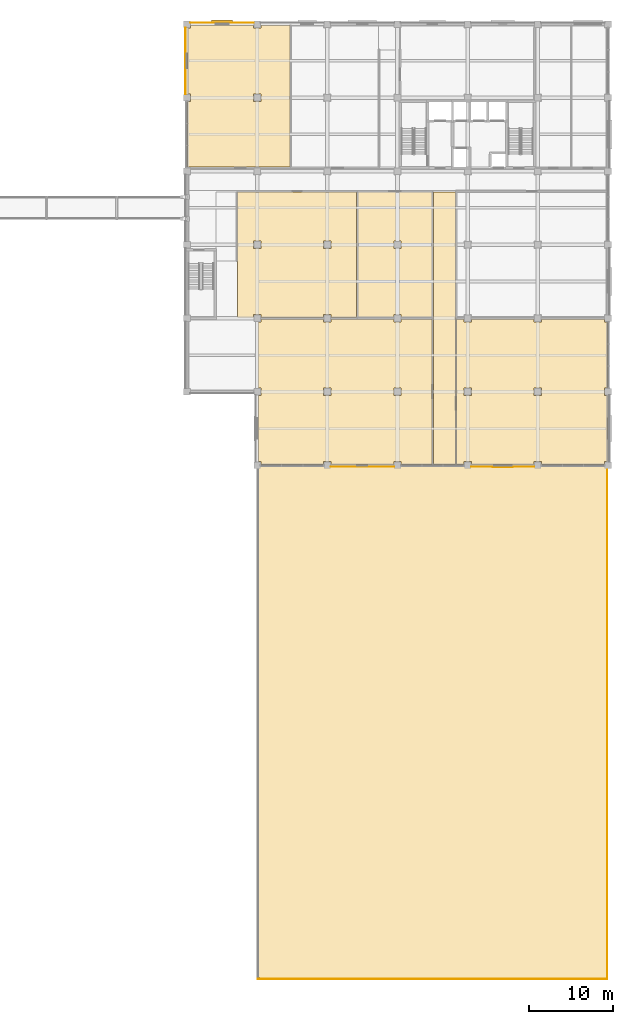
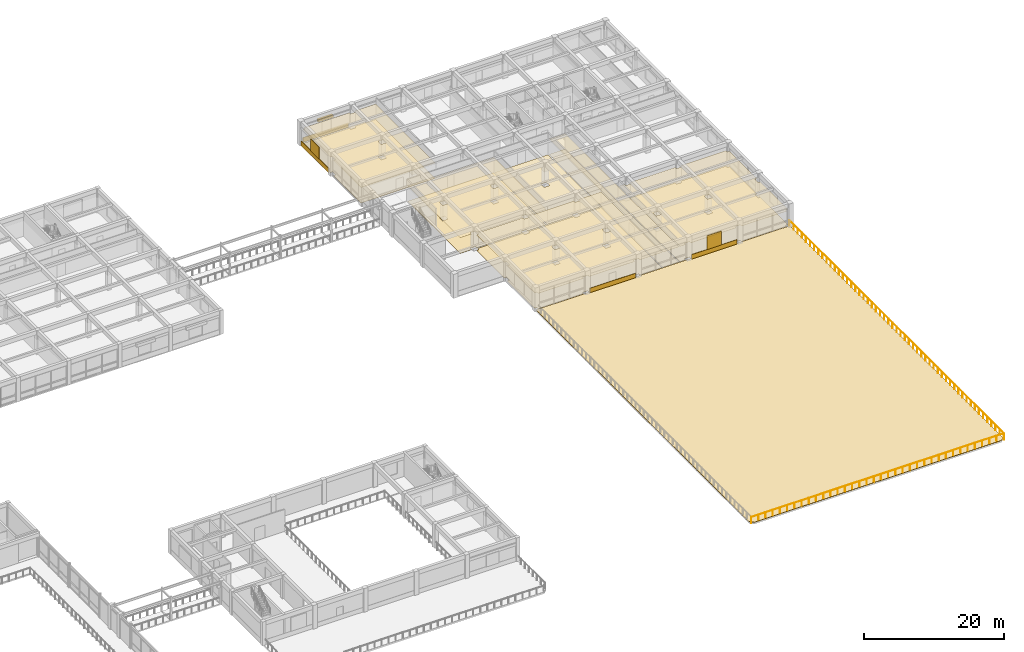
# One storey, part 54 of 57: 16 coverings, 3 shading devices, 2 railings.
"""IFC4 building model written with IfcOpenShell, lengths in metres."""

from ifc_helpers import new_model, si_unit, direction, frame, origin, origin_2d, place, context, subcontext, project, spatial, polyline, rectangle, circle, outline, extrude, material, layer, layer_set, type_object, element, save


model = new_model("IFC4")

# Units and contexts
model_context = context("Model", 3, precision=1e-05, world=origin(), true_north=direction((0.0, 1.0)))
body_context = subcontext(model_context, "Body", "Model", "MODEL_VIEW")
ifc_project = project(units=[si_unit("LENGTHUNIT", "METRE"), si_unit("AREAUNIT", "SQUARE_METRE"), si_unit("VOLUMEUNIT", "CUBIC_METRE"), si_unit("PLANEANGLEUNIT", "RADIAN"), si_unit("MASSUNIT", "GRAM", prefix="KILO")], contexts=[model_context])

# Site, building, storey
site_placement = place(None, origin())
site = spatial("IfcSite", under=ifc_project, at=site_placement, CompositionType="ELEMENT")
building_placement = place(site_placement, origin())
building = spatial("IfcBuilding", under=site, at=building_placement, Name="Kemercrest Conservatory and Botanical Centre", CompositionType="ELEMENT")
storey_placement = place(building_placement, frame((0.0, 0.0, 4.800048828125)))
storey = spatial("IfcBuildingStorey", under=building, at=storey_placement, Name="L01", CompositionType="ELEMENT", Elevation=4.800048828125)

# Coverings
ifc_material_1 = material(Name="Honed limestone almasik ashlar rainscreen", Category="masonry")
ifc_layer_1 = layer(ifc_material_1, 0.0400390625)
ifc_layer_set_1 = layer_set([ifc_layer_1], Name="Honed limestone almasik ashlar rainscreen")
covering_type_1 = type_object("IfcCoveringType", Name="CV-CLD040", PredefinedType="CLADDING", material=ifc_layer_set_1)
covering_1_placement = place(storey_placement, origin())
element("IfcCovering", 1, at=covering_1_placement, inside=storey, type_object=covering_type_1, Name="Exterior stone spandrel cladding (WAL:L01:EXT-176)", PredefinedType="CLADDING", context=body_context, shape_type="SweptSolid", body=[
    extrude(outline(polyline([(142.81005859375, 69.449951171875), (142.81005859375, 69.409912109375), (150.389892578125, 69.409912109375), (150.389892578125, 69.449951171875), (142.81005859375, 69.449951171875)])), origin(), (0.0, 0.0, 1.0), 0.849853515625),
])
covering_2_placement = place(storey_placement, origin())
element("IfcCovering", 2, at=covering_2_placement, inside=storey, type_object=covering_type_1, Name="Exterior stone spandrel cladding (WAL:L01:EXT-177)", PredefinedType="CLADDING", context=body_context, shape_type="SweptSolid", body=[
    extrude(outline(polyline([(159.610107421875, 69.449951171875), (159.610107421875, 69.409912109375), (167.18994140625, 69.409912109375), (167.18994140625, 69.449951171875), (159.610107421875, 69.449951171875)])), origin(), (0.0, 0.0, 1.0), 0.849853515625),
])
covering_3_placement = place(storey_placement, origin())
element("IfcCovering", 3, at=covering_3_placement, inside=storey, type_object=covering_type_1, Name="Exterior stone spandrel cladding (WAL:L01:EXT-186)", PredefinedType="CLADDING", context=body_context, shape_type="SweptSolid", body=[
    extrude(outline(polyline([(133.590087890625, 122.550048828125), (133.590087890625, 122.590087890625), (126.010009765625, 122.590087890625), (126.010009765625, 122.550048828125), (133.590087890625, 122.550048828125)])), origin(), (0.0, 0.0, 1.0), 0.849853515625),
])
covering_4_placement = place(storey_placement, origin())
element("IfcCovering", 4, at=covering_4_placement, inside=storey, type_object=covering_type_1, Name="Exterior stone spandrel cladding (WAL:L01:EXT-187)", PredefinedType="CLADDING", context=body_context, shape_type="SweptSolid", body=[
    extrude(outline(polyline([(125.449951171875, 121.989990234375), (125.409912109375, 121.989990234375), (125.409912109375, 114.010009765625), (125.449951171875, 114.010009765625), (125.449951171875, 121.989990234375)])), origin(), (0.0, 0.0, 1.0), 0.849853515625),
])
ifc_material_2 = material(Name="Perforated acoustic gypsum and mineral-fibre suspended ceiling", Category="gypsum")
ifc_layer_2 = layer(ifc_material_2, 0.034912109375)
ifc_layer_set_2 = layer_set([ifc_layer_2], Name="Perforated acoustic gypsum and mineral-fibre suspended ceiling")
covering_type_2 = type_object("IfcCoveringType", Name="CV-CLG035", PredefinedType="CEILING", material=ifc_layer_set_2)
covering_5_placement = place(storey_placement, frame((0.0, 0.0, 2.699951171875)))
element("IfcCovering", 5, at=covering_5_placement, inside=storey, type_object=covering_type_2, Name="Level L01 South Corridor suspended acoustic ceiling", PredefinedType="CEILING", context=body_context, shape_type="SweptSolid", body=[
    extrude(outline(polyline([(155.080078125, 69.679931640625), (157.719970703125, 69.679931640625), (157.719970703125, 102.320068359375), (155.080078125, 102.320068359375), (155.080078125, 69.679931640625)])), origin(), (0.0, 0.0, 1.0), 0.034912109375),
])
covering_6_placement = place(storey_placement, frame((0.0, 0.0, 2.699951171875)))
element("IfcCovering", 6, at=covering_6_placement, inside=storey, type_object=covering_type_2, Name="Botanical Exhibition Gallery suspended acoustic ceiling", PredefinedType="CEILING", context=body_context, shape_type="SweptSolid", body=[
    extrude(outline(polyline([(150.360107421875, 70.0400390625), (151.239990234375, 70.0400390625), (151.239990234375, 69.679931640625), (154.919921875, 69.679931640625), (154.919921875, 87.1201171875), (151.239990234375, 87.1201171875), (151.239990234375, 86.760009765625), (150.360107421875, 86.760009765625), (150.360107421875, 87.1201171875), (142.840087890625, 87.1201171875), (142.840087890625, 86.760009765625), (141.9599609375, 86.760009765625), (141.9599609375, 87.1201171875), (134.43994140625, 87.1201171875), (134.43994140625, 86.760009765625), (134.080078125, 86.760009765625), (134.080078125, 78.840087890625), (134.43994140625, 78.840087890625), (134.43994140625, 77.9599609375), (134.080078125, 77.9599609375), (134.080078125, 70.0400390625), (134.43994140625, 70.0400390625), (134.43994140625, 69.679931640625), (141.9599609375, 69.679931640625), (141.9599609375, 70.0400390625), (142.840087890625, 70.0400390625), (142.840087890625, 69.679931640625), (150.360107421875, 69.679931640625), (150.360107421875, 70.0400390625)]), holes=[polyline([(150.360107421875, 77.9599609375), (150.360107421875, 78.840087890625), (151.239990234375, 78.840087890625), (151.239990234375, 77.9599609375), (150.360107421875, 77.9599609375)]), polyline([(141.9599609375, 77.9599609375), (141.9599609375, 78.840087890625), (142.840087890625, 78.840087890625), (142.840087890625, 77.9599609375), (141.9599609375, 77.9599609375)])]), origin(), (0.0, 0.0, 1.0), 0.034912109375),
])
covering_7_placement = place(storey_placement, frame((0.0, 0.0, 2.699951171875)))
element("IfcCovering", 7, at=covering_7_placement, inside=storey, type_object=covering_type_2, Name="Botanical Seminar Hall suspended acoustic ceiling", PredefinedType="CEILING", context=body_context, shape_type="SweptSolid", body=[
    extrude(outline(polyline([(167.159912109375, 70.0400390625), (168.0400390625, 70.0400390625), (168.0400390625, 69.679931640625), (175.56005859375, 69.679931640625), (175.56005859375, 70.0400390625), (175.919921875, 70.0400390625), (175.919921875, 77.9599609375), (175.56005859375, 77.9599609375), (175.56005859375, 78.840087890625), (175.919921875, 78.840087890625), (175.919921875, 86.760009765625), (175.56005859375, 86.760009765625), (175.56005859375, 87.1201171875), (168.0400390625, 87.1201171875), (168.0400390625, 86.760009765625), (167.159912109375, 86.760009765625), (167.159912109375, 87.1201171875), (159.639892578125, 87.1201171875), (159.639892578125, 86.760009765625), (158.760009765625, 86.760009765625), (158.760009765625, 87.1201171875), (157.8798828125, 87.1201171875), (157.8798828125, 69.679931640625), (158.760009765625, 69.679931640625), (158.760009765625, 70.0400390625), (159.639892578125, 70.0400390625), (159.639892578125, 69.679931640625), (167.159912109375, 69.679931640625), (167.159912109375, 70.0400390625)]), holes=[polyline([(167.159912109375, 77.9599609375), (167.159912109375, 78.840087890625), (168.0400390625, 78.840087890625), (168.0400390625, 77.9599609375), (167.159912109375, 77.9599609375)]), polyline([(159.639892578125, 77.9599609375), (158.760009765625, 77.9599609375), (158.760009765625, 78.840087890625), (159.639892578125, 78.840087890625), (159.639892578125, 77.9599609375)])]), origin(), (0.0, 0.0, 1.0), 0.034912109375),
])
covering_8_placement = place(storey_placement, frame((0.0, 0.0, 2.699951171875)))
element("IfcCovering", 8, at=covering_8_placement, inside=storey, type_object=covering_type_2, Name="Wet Botanical Research Laboratory suspended acoustic ceiling", PredefinedType="CEILING", context=body_context, shape_type="SweptSolid", body=[
    extrude(outline(polyline([(141.9599609375, 87.639892578125), (142.840087890625, 87.639892578125), (142.840087890625, 87.280029296875), (145.919921875, 87.280029296875), (145.919921875, 102.320068359375), (131.679931640625, 102.320068359375), (131.679931640625, 87.280029296875), (133.56005859375, 87.280029296875), (133.56005859375, 87.639892578125), (134.43994140625, 87.639892578125), (134.43994140625, 87.280029296875), (141.9599609375, 87.280029296875), (141.9599609375, 87.639892578125)]), holes=[polyline([(142.840087890625, 95.56005859375), (141.9599609375, 95.56005859375), (141.9599609375, 96.43994140625), (142.840087890625, 96.43994140625), (142.840087890625, 95.56005859375)]), polyline([(134.43994140625, 95.56005859375), (133.56005859375, 95.56005859375), (133.56005859375, 96.43994140625), (134.43994140625, 96.43994140625), (134.43994140625, 95.56005859375)])]), origin(), (0.0, 0.0, 1.0), 0.034912109375),
])
covering_9_placement = place(storey_placement, frame((0.0, 0.0, 2.699951171875)))
element("IfcCovering", 9, at=covering_9_placement, inside=storey, type_object=covering_type_2, Name="Research Write-Up Office suspended acoustic ceiling", PredefinedType="CEILING", context=body_context, shape_type="SweptSolid", body=[
    extrude(outline(polyline([(126.0400390625, 113.159912109375), (125.679931640625, 113.159912109375), (125.679931640625, 105.280029296875), (137.919921875, 105.280029296875), (137.919921875, 122.320068359375), (134.43994140625, 122.320068359375), (134.43994140625, 121.9599609375), (133.56005859375, 121.9599609375), (133.56005859375, 122.320068359375), (126.0400390625, 122.320068359375), (126.0400390625, 121.9599609375), (125.679931640625, 121.9599609375), (125.679931640625, 114.0400390625), (126.0400390625, 114.0400390625), (126.0400390625, 113.159912109375)]), holes=[polyline([(133.56005859375, 113.159912109375), (133.56005859375, 114.0400390625), (134.43994140625, 114.0400390625), (134.43994140625, 113.159912109375), (133.56005859375, 113.159912109375)])]), origin(), (0.0, 0.0, 1.0), 0.034912109375),
])
ifc_material_3 = material(Name="Polished limestone terrazzo and seamless laboratory epoxy flooring", Category="masonry")
ifc_layer_3 = layer(ifc_material_3, 0.02001953125)
ifc_layer_set_3 = layer_set([ifc_layer_3], Name="Polished limestone terrazzo and seamless laboratory epoxy flooring")
covering_type_3 = type_object("IfcCoveringType", Name="CV-FLR020", PredefinedType="FLOORING", material=ifc_layer_set_3)
covering_10_placement = place(storey_placement, origin())
element("IfcCovering", 10, at=covering_10_placement, inside=storey, type_object=covering_type_3, Name="Level L01 South Corridor floor finish", PredefinedType="FLOORING", context=body_context, shape_type="SweptSolid", body=[
    extrude(outline(polyline([(155.080078125, 69.679931640625), (157.719970703125, 69.679931640625), (157.719970703125, 102.320068359375), (155.080078125, 102.320068359375), (155.080078125, 69.679931640625)])), origin(), (0.0, 0.0, 1.0), 0.02001953125),
])
covering_11_placement = place(storey_placement, origin())
element("IfcCovering", 11, at=covering_11_placement, inside=storey, type_object=covering_type_3, Name="Botanical Exhibition Gallery floor finish", PredefinedType="FLOORING", context=body_context, shape_type="SweptSolid", body=[
    extrude(outline(polyline([(150.360107421875, 70.0400390625), (151.239990234375, 70.0400390625), (151.239990234375, 69.679931640625), (154.919921875, 69.679931640625), (154.919921875, 87.1201171875), (151.239990234375, 87.1201171875), (151.239990234375, 86.760009765625), (150.360107421875, 86.760009765625), (150.360107421875, 87.1201171875), (142.840087890625, 87.1201171875), (142.840087890625, 86.760009765625), (141.9599609375, 86.760009765625), (141.9599609375, 87.1201171875), (134.43994140625, 87.1201171875), (134.43994140625, 86.760009765625), (134.080078125, 86.760009765625), (134.080078125, 78.840087890625), (134.43994140625, 78.840087890625), (134.43994140625, 77.9599609375), (134.080078125, 77.9599609375), (134.080078125, 70.0400390625), (134.43994140625, 70.0400390625), (134.43994140625, 69.679931640625), (141.9599609375, 69.679931640625), (141.9599609375, 70.0400390625), (142.840087890625, 70.0400390625), (142.840087890625, 69.679931640625), (150.360107421875, 69.679931640625), (150.360107421875, 70.0400390625)]), holes=[polyline([(150.360107421875, 77.9599609375), (150.360107421875, 78.840087890625), (151.239990234375, 78.840087890625), (151.239990234375, 77.9599609375), (150.360107421875, 77.9599609375)]), polyline([(141.9599609375, 77.9599609375), (141.9599609375, 78.840087890625), (142.840087890625, 78.840087890625), (142.840087890625, 77.9599609375), (141.9599609375, 77.9599609375)])]), origin(), (0.0, 0.0, 1.0), 0.02001953125),
])
covering_12_placement = place(storey_placement, origin())
element("IfcCovering", 12, at=covering_12_placement, inside=storey, type_object=covering_type_3, Name="Botanical Seminar Hall floor finish", PredefinedType="FLOORING", context=body_context, shape_type="SweptSolid", body=[
    extrude(outline(polyline([(167.159912109375, 70.0400390625), (168.0400390625, 70.0400390625), (168.0400390625, 69.679931640625), (175.56005859375, 69.679931640625), (175.56005859375, 70.0400390625), (175.919921875, 70.0400390625), (175.919921875, 77.9599609375), (175.56005859375, 77.9599609375), (175.56005859375, 78.840087890625), (175.919921875, 78.840087890625), (175.919921875, 86.760009765625), (175.56005859375, 86.760009765625), (175.56005859375, 87.1201171875), (168.0400390625, 87.1201171875), (168.0400390625, 86.760009765625), (167.159912109375, 86.760009765625), (167.159912109375, 87.1201171875), (159.639892578125, 87.1201171875), (159.639892578125, 86.760009765625), (158.760009765625, 86.760009765625), (158.760009765625, 87.1201171875), (157.8798828125, 87.1201171875), (157.8798828125, 69.679931640625), (158.760009765625, 69.679931640625), (158.760009765625, 70.0400390625), (159.639892578125, 70.0400390625), (159.639892578125, 69.679931640625), (167.159912109375, 69.679931640625), (167.159912109375, 70.0400390625)]), holes=[polyline([(167.159912109375, 77.9599609375), (167.159912109375, 78.840087890625), (168.0400390625, 78.840087890625), (168.0400390625, 77.9599609375), (167.159912109375, 77.9599609375)]), polyline([(159.639892578125, 77.9599609375), (158.760009765625, 77.9599609375), (158.760009765625, 78.840087890625), (159.639892578125, 78.840087890625), (159.639892578125, 77.9599609375)])]), origin(), (0.0, 0.0, 1.0), 0.02001953125),
])
covering_13_placement = place(storey_placement, origin())
element("IfcCovering", 13, at=covering_13_placement, inside=storey, type_object=covering_type_3, Name="Wet Botanical Research Laboratory floor finish", PredefinedType="FLOORING", context=body_context, shape_type="SweptSolid", body=[
    extrude(outline(polyline([(141.9599609375, 87.639892578125), (142.840087890625, 87.639892578125), (142.840087890625, 87.280029296875), (145.919921875, 87.280029296875), (145.919921875, 102.320068359375), (131.679931640625, 102.320068359375), (131.679931640625, 87.280029296875), (133.56005859375, 87.280029296875), (133.56005859375, 87.639892578125), (134.43994140625, 87.639892578125), (134.43994140625, 87.280029296875), (141.9599609375, 87.280029296875), (141.9599609375, 87.639892578125)]), holes=[polyline([(142.840087890625, 95.56005859375), (141.9599609375, 95.56005859375), (141.9599609375, 96.43994140625), (142.840087890625, 96.43994140625), (142.840087890625, 95.56005859375)]), polyline([(134.43994140625, 95.56005859375), (133.56005859375, 95.56005859375), (133.56005859375, 96.43994140625), (134.43994140625, 96.43994140625), (134.43994140625, 95.56005859375)])]), origin(), (0.0, 0.0, 1.0), 0.02001953125),
])
covering_14_placement = place(storey_placement, origin())
element("IfcCovering", 14, at=covering_14_placement, inside=storey, type_object=covering_type_3, Name="Analytical Chemistry Laboratory floor finish", PredefinedType="FLOORING", context=body_context, shape_type="SweptSolid", body=[
    extrude(outline(polyline([(150.360107421875, 87.639892578125), (151.239990234375, 87.639892578125), (151.239990234375, 87.280029296875), (154.919921875, 87.280029296875), (154.919921875, 102.320068359375), (146.080078125, 102.320068359375), (146.080078125, 87.280029296875), (150.360107421875, 87.280029296875), (150.360107421875, 87.639892578125)]), holes=[polyline([(150.360107421875, 95.56005859375), (150.360107421875, 96.43994140625), (151.239990234375, 96.43994140625), (151.239990234375, 95.56005859375), (150.360107421875, 95.56005859375)])]), origin(), (0.0, 0.0, 1.0), 0.02001953125),
])
covering_15_placement = place(storey_placement, origin())
element("IfcCovering", 15, at=covering_15_placement, inside=storey, type_object=covering_type_3, Name="Research Write-Up Office floor finish", PredefinedType="FLOORING", context=body_context, shape_type="SweptSolid", body=[
    extrude(outline(polyline([(126.0400390625, 113.159912109375), (125.679931640625, 113.159912109375), (125.679931640625, 105.280029296875), (137.919921875, 105.280029296875), (137.919921875, 122.320068359375), (134.43994140625, 122.320068359375), (134.43994140625, 121.9599609375), (133.56005859375, 121.9599609375), (133.56005859375, 122.320068359375), (126.0400390625, 122.320068359375), (126.0400390625, 121.9599609375), (125.679931640625, 121.9599609375), (125.679931640625, 114.0400390625), (126.0400390625, 114.0400390625), (126.0400390625, 113.159912109375)]), holes=[polyline([(133.56005859375, 113.159912109375), (133.56005859375, 114.0400390625), (134.43994140625, 114.0400390625), (134.43994140625, 113.159912109375), (133.56005859375, 113.159912109375)])]), origin(), (0.0, 0.0, 1.0), 0.02001953125),
])
ifc_material_4 = material(Name="SBS modified bitumen insulated roofing membrane", Category="roofing")
ifc_layer_4 = layer(ifc_material_4, 0.06005859375)
ifc_layer_set_4 = layer_set([ifc_layer_4], Name="SBS modified bitumen insulated roofing membrane")
covering_type_4 = type_object("IfcCoveringType", Name="CV-RFG060", PredefinedType="ROOFING", material=ifc_layer_set_4)
covering_16_placement = place(storey_placement, origin())
element("IfcCovering", 16, at=covering_16_placement, inside=storey, type_object=covering_type_4, Name="Insulated roof membrane covering (V4 South-East Harbour Promenade Terrace)", PredefinedType="ROOFING", context=body_context, shape_type="SweptSolid", body=[
    extrude(outline(polyline([(134.550048828125, 8.0), (175.449951171875, 8.0), (176.0, 8.550048828125), (176.0, 69.60009765625), (134.0, 69.60009765625), (134.0, 8.550048828125), (134.550048828125, 8.0)])), origin(), (0.0, 0.0, 1.0), 0.06005859375),
])

# Railings
ifc_material_5 = material(Name="Architectural bronze-anodized steel balustrade", Category="steel")
railing_type = type_object("IfcRailingType", Name="GR-TER110", PredefinedType="GUARDRAIL", material=ifc_material_5)
railing_1_placement = place(storey_placement, frame((134.10009765625, 8.10009765625, 0.0)))
element("IfcRailing", 17, at=railing_1_placement, inside=storey, type_object=railing_type, Name="Safety guardrail GR-TER110 (V4-SE-TER-2)", PredefinedType="GUARDRAIL", context=body_context, shape_type="SweptSolid", body=[
    extrude(circle(Radius=0.02392578125, at=origin_2d()), frame((0.0, 0.0, 1.076171875), z_axis=(1.0, 0.0, 0.0), x_axis=(0.0, 1.0, 0.0)), (0.0, 0.0, 1.0), 41.7998046875),
    extrude(circle(Radius=0.02099609375, at=origin_2d()), origin(), (0.0, 0.0, 1.0), 1.052001953125),
    extrude(circle(Radius=0.02099609375, at=origin_2d()), frame((1.1943359375, 0.0, 0.0)), (0.0, 0.0, 1.0), 1.052001953125),
    extrude(circle(Radius=0.02099609375, at=origin_2d()), frame((2.388671875, 0.0, 0.0)), (0.0, 0.0, 1.0), 1.052001953125),
    extrude(circle(Radius=0.02099609375, at=origin_2d()), frame((3.582763671875, 0.0, 0.0)), (0.0, 0.0, 1.0), 1.052001953125),
    extrude(circle(Radius=0.02099609375, at=origin_2d()), frame((4.777099609375, 0.0, 0.0)), (0.0, 0.0, 1.0), 1.052001953125),
    extrude(circle(Radius=0.02099609375, at=origin_2d()), frame((5.971435546875, 0.0, 0.0)), (0.0, 0.0, 1.0), 1.052001953125),
    extrude(circle(Radius=0.02099609375, at=origin_2d()), frame((7.165771484375, 0.0, 0.0)), (0.0, 0.0, 1.0), 1.052001953125),
    extrude(circle(Radius=0.02099609375, at=origin_2d()), frame((8.35986328125, 0.0, 0.0)), (0.0, 0.0, 1.0), 1.052001953125),
    extrude(circle(Radius=0.02099609375, at=origin_2d()), frame((9.55419921875, 0.0, 0.0)), (0.0, 0.0, 1.0), 1.052001953125),
    extrude(circle(Radius=0.02099609375, at=origin_2d()), frame((10.74853515625, 0.0, 0.0)), (0.0, 0.0, 1.0), 1.052001953125),
    extrude(circle(Radius=0.02099609375, at=origin_2d()), frame((11.94287109375, 0.0, 0.0)), (0.0, 0.0, 1.0), 1.052001953125),
    extrude(circle(Radius=0.02099609375, at=origin_2d()), frame((13.136962890625, 0.0, 0.0)), (0.0, 0.0, 1.0), 1.052001953125),
    extrude(circle(Radius=0.02099609375, at=origin_2d()), frame((14.331298828125, 0.0, 0.0)), (0.0, 0.0, 1.0), 1.052001953125),
    extrude(circle(Radius=0.02099609375, at=origin_2d()), frame((15.525634765625, 0.0, 0.0)), (0.0, 0.0, 1.0), 1.052001953125),
    extrude(circle(Radius=0.02099609375, at=origin_2d()), frame((16.719970703125, 0.0, 0.0)), (0.0, 0.0, 1.0), 1.052001953125),
    extrude(circle(Radius=0.02099609375, at=origin_2d()), frame((17.914306640625, 0.0, 0.0)), (0.0, 0.0, 1.0), 1.052001953125),
    extrude(circle(Radius=0.02099609375, at=origin_2d()), frame((19.1083984375, 0.0, 0.0)), (0.0, 0.0, 1.0), 1.052001953125),
    extrude(circle(Radius=0.02099609375, at=origin_2d()), frame((20.302734375, 0.0, 0.0)), (0.0, 0.0, 1.0), 1.052001953125),
    extrude(circle(Radius=0.02099609375, at=origin_2d()), frame((21.4970703125, 0.0, 0.0)), (0.0, 0.0, 1.0), 1.052001953125),
    extrude(circle(Radius=0.02099609375, at=origin_2d()), frame((22.69140625, 0.0, 0.0)), (0.0, 0.0, 1.0), 1.052001953125),
    extrude(circle(Radius=0.02099609375, at=origin_2d()), frame((23.885498046875, 0.0, 0.0)), (0.0, 0.0, 1.0), 1.052001953125),
    extrude(circle(Radius=0.02099609375, at=origin_2d()), frame((25.079833984375, 0.0, 0.0)), (0.0, 0.0, 1.0), 1.052001953125),
    extrude(circle(Radius=0.02099609375, at=origin_2d()), frame((26.274169921875, 0.0, 0.0)), (0.0, 0.0, 1.0), 1.052001953125),
    extrude(circle(Radius=0.02099609375, at=origin_2d()), frame((27.468505859375, 0.0, 0.0)), (0.0, 0.0, 1.0), 1.052001953125),
    extrude(circle(Radius=0.02099609375, at=origin_2d()), frame((28.662841796875, 0.0, 0.0)), (0.0, 0.0, 1.0), 1.052001953125),
    extrude(circle(Radius=0.02099609375, at=origin_2d()), frame((29.85693359375, 0.0, 0.0)), (0.0, 0.0, 1.0), 1.052001953125),
    extrude(circle(Radius=0.02099609375, at=origin_2d()), frame((31.05126953125, 0.0, 0.0)), (0.0, 0.0, 1.0), 1.052001953125),
    extrude(circle(Radius=0.02099609375, at=origin_2d()), frame((32.24560546875, 0.0, 0.0)), (0.0, 0.0, 1.0), 1.052001953125),
    extrude(circle(Radius=0.02099609375, at=origin_2d()), frame((33.43994140625, 0.0, 0.0)), (0.0, 0.0, 1.0), 1.052001953125),
    extrude(circle(Radius=0.02099609375, at=origin_2d()), frame((34.634033203125, 0.0, 0.0)), (0.0, 0.0, 1.0), 1.052001953125),
    extrude(circle(Radius=0.02099609375, at=origin_2d()), frame((35.828369140625, 0.0, 0.0)), (0.0, 0.0, 1.0), 1.052001953125),
    extrude(circle(Radius=0.02099609375, at=origin_2d()), frame((37.022705078125, 0.0, 0.0)), (0.0, 0.0, 1.0), 1.052001953125),
    extrude(circle(Radius=0.02099609375, at=origin_2d()), frame((38.217041015625, 0.0, 0.0)), (0.0, 0.0, 1.0), 1.052001953125),
    extrude(circle(Radius=0.02099609375, at=origin_2d()), frame((39.4111328125, 0.0, 0.0)), (0.0, 0.0, 1.0), 1.052001953125),
    extrude(circle(Radius=0.02099609375, at=origin_2d()), frame((40.60546875, 0.0, 0.0)), (0.0, 0.0, 1.0), 1.052001953125),
    extrude(circle(Radius=0.02099609375, at=origin_2d()), frame((41.7998046875, 0.0, 0.0)), (0.0, 0.0, 1.0), 1.052001953125),
])
railing_2_placement = place(storey_placement, frame((175.89990234375, 8.10009765625, 0.0)))
element("IfcRailing", 18, at=railing_2_placement, inside=storey, type_object=railing_type, Name="Safety guardrail GR-TER110 (V4-SE-TER-3)", PredefinedType="GUARDRAIL", context=body_context, shape_type="SweptSolid", body=[
    extrude(circle(Radius=0.02392578125, at=origin_2d()), frame((0.0, 0.0, 1.076171875), z_axis=(0.0, 1.0, 0.0), x_axis=(-1.0, 0.0, 0.0)), (0.0, 0.0, 1.0), 61.39990234375),
    extrude(circle(Radius=0.02099609375, at=origin_2d()), origin(), (0.0, 0.0, 1.0), 1.052001953125),
    extrude(circle(Radius=0.02099609375, at=origin_2d()), frame((0.0, 1.1806640625, 0.0)), (0.0, 0.0, 1.0), 1.052001953125),
    extrude(circle(Radius=0.02099609375, at=origin_2d()), frame((0.0, 2.361572265625, 0.0)), (0.0, 0.0, 1.0), 1.052001953125),
    extrude(circle(Radius=0.02099609375, at=origin_2d()), frame((0.0, 3.542236328125, 0.0)), (0.0, 0.0, 1.0), 1.052001953125),
    extrude(circle(Radius=0.02099609375, at=origin_2d()), frame((0.0, 4.72314453125, 0.0)), (0.0, 0.0, 1.0), 1.052001953125),
    extrude(circle(Radius=0.02099609375, at=origin_2d()), frame((0.0, 5.90380859375, 0.0)), (0.0, 0.0, 1.0), 1.052001953125),
    extrude(circle(Radius=0.02099609375, at=origin_2d()), frame((0.0, 7.084716796875, 0.0)), (0.0, 0.0, 1.0), 1.052001953125),
    extrude(circle(Radius=0.02099609375, at=origin_2d()), frame((0.0, 8.265380859375, 0.0)), (0.0, 0.0, 1.0), 1.052001953125),
    extrude(circle(Radius=0.02099609375, at=origin_2d()), frame((0.0, 9.446044921875, 0.0)), (0.0, 0.0, 1.0), 1.052001953125),
    extrude(circle(Radius=0.02099609375, at=origin_2d()), frame((0.0, 10.626953125, 0.0)), (0.0, 0.0, 1.0), 1.052001953125),
    extrude(circle(Radius=0.02099609375, at=origin_2d()), frame((0.0, 11.8076171875, 0.0)), (0.0, 0.0, 1.0), 1.052001953125),
    extrude(circle(Radius=0.02099609375, at=origin_2d()), frame((0.0, 12.988525390625, 0.0)), (0.0, 0.0, 1.0), 1.052001953125),
    extrude(circle(Radius=0.02099609375, at=origin_2d()), frame((0.0, 14.169189453125, 0.0)), (0.0, 0.0, 1.0), 1.052001953125),
    extrude(circle(Radius=0.02099609375, at=origin_2d()), frame((0.0, 15.35009765625, 0.0)), (0.0, 0.0, 1.0), 1.052001953125),
    extrude(circle(Radius=0.02099609375, at=origin_2d()), frame((0.0, 16.53076171875, 0.0)), (0.0, 0.0, 1.0), 1.052001953125),
    extrude(circle(Radius=0.02099609375, at=origin_2d()), frame((0.0, 17.71142578125, 0.0)), (0.0, 0.0, 1.0), 1.052001953125),
    extrude(circle(Radius=0.02099609375, at=origin_2d()), frame((0.0, 18.892333984375, 0.0)), (0.0, 0.0, 1.0), 1.052001953125),
    extrude(circle(Radius=0.02099609375, at=origin_2d()), frame((0.0, 20.072998046875, 0.0)), (0.0, 0.0, 1.0), 1.052001953125),
    extrude(circle(Radius=0.02099609375, at=origin_2d()), frame((0.0, 21.25390625, 0.0)), (0.0, 0.0, 1.0), 1.052001953125),
    extrude(circle(Radius=0.02099609375, at=origin_2d()), frame((0.0, 22.4345703125, 0.0)), (0.0, 0.0, 1.0), 1.052001953125),
    extrude(circle(Radius=0.02099609375, at=origin_2d()), frame((0.0, 23.615234375, 0.0)), (0.0, 0.0, 1.0), 1.052001953125),
    extrude(circle(Radius=0.02099609375, at=origin_2d()), frame((0.0, 24.796142578125, 0.0)), (0.0, 0.0, 1.0), 1.052001953125),
    extrude(circle(Radius=0.02099609375, at=origin_2d()), frame((0.0, 25.976806640625, 0.0)), (0.0, 0.0, 1.0), 1.052001953125),
    extrude(circle(Radius=0.02099609375, at=origin_2d()), frame((0.0, 27.15771484375, 0.0)), (0.0, 0.0, 1.0), 1.052001953125),
    extrude(circle(Radius=0.02099609375, at=origin_2d()), frame((0.0, 28.33837890625, 0.0)), (0.0, 0.0, 1.0), 1.052001953125),
    extrude(circle(Radius=0.02099609375, at=origin_2d()), frame((0.0, 29.519287109375, 0.0)), (0.0, 0.0, 1.0), 1.052001953125),
    extrude(circle(Radius=0.02099609375, at=origin_2d()), frame((0.0, 30.699951171875, 0.0)), (0.0, 0.0, 1.0), 1.052001953125),
    extrude(circle(Radius=0.02099609375, at=origin_2d()), frame((0.0, 31.880615234375, 0.0)), (0.0, 0.0, 1.0), 1.052001953125),
    extrude(circle(Radius=0.02099609375, at=origin_2d()), frame((0.0, 33.0615234375, 0.0)), (0.0, 0.0, 1.0), 1.052001953125),
    extrude(circle(Radius=0.02099609375, at=origin_2d()), frame((0.0, 34.2421875, 0.0)), (0.0, 0.0, 1.0), 1.052001953125),
    extrude(circle(Radius=0.02099609375, at=origin_2d()), frame((0.0, 35.423095703125, 0.0)), (0.0, 0.0, 1.0), 1.052001953125),
    extrude(circle(Radius=0.02099609375, at=origin_2d()), frame((0.0, 36.603759765625, 0.0)), (0.0, 0.0, 1.0), 1.052001953125),
    extrude(circle(Radius=0.02099609375, at=origin_2d()), frame((0.0, 37.78466796875, 0.0)), (0.0, 0.0, 1.0), 1.052001953125),
    extrude(circle(Radius=0.02099609375, at=origin_2d()), frame((0.0, 38.96533203125, 0.0)), (0.0, 0.0, 1.0), 1.052001953125),
    extrude(circle(Radius=0.02099609375, at=origin_2d()), frame((0.0, 40.14599609375, 0.0)), (0.0, 0.0, 1.0), 1.052001953125),
    extrude(circle(Radius=0.02099609375, at=origin_2d()), frame((0.0, 41.326904296875, 0.0)), (0.0, 0.0, 1.0), 1.052001953125),
    extrude(circle(Radius=0.02099609375, at=origin_2d()), frame((0.0, 42.507568359375, 0.0)), (0.0, 0.0, 1.0), 1.052001953125),
    extrude(circle(Radius=0.02099609375, at=origin_2d()), frame((0.0, 43.6884765625, 0.0)), (0.0, 0.0, 1.0), 1.052001953125),
    extrude(circle(Radius=0.02099609375, at=origin_2d()), frame((0.0, 44.869140625, 0.0)), (0.0, 0.0, 1.0), 1.052001953125),
    extrude(circle(Radius=0.02099609375, at=origin_2d()), frame((0.0, 46.0498046875, 0.0)), (0.0, 0.0, 1.0), 1.052001953125),
    extrude(circle(Radius=0.02099609375, at=origin_2d()), frame((0.0, 47.230712890625, 0.0)), (0.0, 0.0, 1.0), 1.052001953125),
    extrude(circle(Radius=0.02099609375, at=origin_2d()), frame((0.0, 48.411376953125, 0.0)), (0.0, 0.0, 1.0), 1.052001953125),
    extrude(circle(Radius=0.02099609375, at=origin_2d()), frame((0.0, 49.59228515625, 0.0)), (0.0, 0.0, 1.0), 1.052001953125),
    extrude(circle(Radius=0.02099609375, at=origin_2d()), frame((0.0, 50.77294921875, 0.0)), (0.0, 0.0, 1.0), 1.052001953125),
    extrude(circle(Radius=0.02099609375, at=origin_2d()), frame((0.0, 51.953857421875, 0.0)), (0.0, 0.0, 1.0), 1.052001953125),
    extrude(circle(Radius=0.02099609375, at=origin_2d()), frame((0.0, 53.134521484375, 0.0)), (0.0, 0.0, 1.0), 1.052001953125),
    extrude(circle(Radius=0.02099609375, at=origin_2d()), frame((0.0, 54.315185546875, 0.0)), (0.0, 0.0, 1.0), 1.052001953125),
    extrude(circle(Radius=0.02099609375, at=origin_2d()), frame((0.0, 55.49609375, 0.0)), (0.0, 0.0, 1.0), 1.052001953125),
    extrude(circle(Radius=0.02099609375, at=origin_2d()), frame((0.0, 56.6767578125, 0.0)), (0.0, 0.0, 1.0), 1.052001953125),
    extrude(circle(Radius=0.02099609375, at=origin_2d()), frame((0.0, 57.857666015625, 0.0)), (0.0, 0.0, 1.0), 1.052001953125),
    extrude(circle(Radius=0.02099609375, at=origin_2d()), frame((0.0, 59.038330078125, 0.0)), (0.0, 0.0, 1.0), 1.052001953125),
    extrude(circle(Radius=0.02099609375, at=origin_2d()), frame((0.0, 60.21923828125, 0.0)), (0.0, 0.0, 1.0), 1.052001953125),
    extrude(circle(Radius=0.02099609375, at=origin_2d()), frame((0.0, 61.39990234375, 0.0)), (0.0, 0.0, 1.0), 1.052001953125),
])

# Shading devices
ifc_material_6 = material(Name="Architectural bronze-anodized extruded aluminium", Category="aluminium")
shading_device_type_1 = type_object("IfcShadingDeviceType", Name="SH-JL02", PredefinedType="JALOUSIE", material=ifc_material_6)
shading_device_1_placement = place(storey_placement, frame((129.800048828125, 122.722900390625, 2.634765625), z_axis=(0.0, 0.0, 1.0), x_axis=(-1.0, 0.0, 0.0)))
element("IfcShadingDevice", 19, at=shading_device_1_placement, inside=storey, type_object=shading_device_type_1, Name="Solar control louvre visor SH-JL02 (WIN:L01:EXT-186)", PredefinedType="JALOUSIE", context=body_context, shape_type="SweptSolid", body=[
    extrude(rectangle(XDim=2.5, YDim=0.35009765625, at=origin_2d()), origin(), (0.0, 0.0, 1.0), 0.449951171875),
])
ifc_material_7 = material(Name="Perforated bronze-anodized aluminium", Category="aluminium")
shading_device_type_2 = type_object("IfcShadingDeviceType", Name="SH-MS03", PredefinedType="USERDEFINED", material=ifc_material_7)
shading_device_2_placement = place(storey_placement, frame((163.39990234375, 69.412109375, 0.85009765625), z_axis=(0.0, 0.0, 1.0), x_axis=(1.0, 0.0, 0.0)))
element("IfcShadingDevice", 20, at=shading_device_2_placement, inside=storey, type_object=shading_device_type_2, Name="Ottoman mashrabiya perforated screen SH-MS03 (WIN:L01:EXT-177)", ObjectType="MASHRABIYA SCREEN", PredefinedType="USERDEFINED", context=body_context, shape_type="SweptSolid", body=[
    extrude(rectangle(XDim=2.39990234375, YDim=0.080078125, at=origin_2d()), origin(), (0.0, 0.0, 1.0), 2.39990234375),
])
shading_device_3_placement = place(storey_placement, frame((125.412109375, 118.0, 0.81982421875), z_axis=(0.0, 0.0, 1.0), x_axis=(0.0, -1.0, 0.0)))
element("IfcShadingDevice", 21, at=shading_device_3_placement, inside=storey, type_object=shading_device_type_2, Name="Ottoman mashrabiya perforated screen SH-MS03 (WIN:L01:EXT-187)", ObjectType="MASHRABIYA SCREEN", PredefinedType="USERDEFINED", context=body_context, shape_type="SweptSolid", body=[
    extrude(rectangle(XDim=2.39990234375, YDim=0.080078125, at=origin_2d()), origin(), (0.0, 0.0, 1.0), 2.080078125),
])

save(model, "model.ifc")
